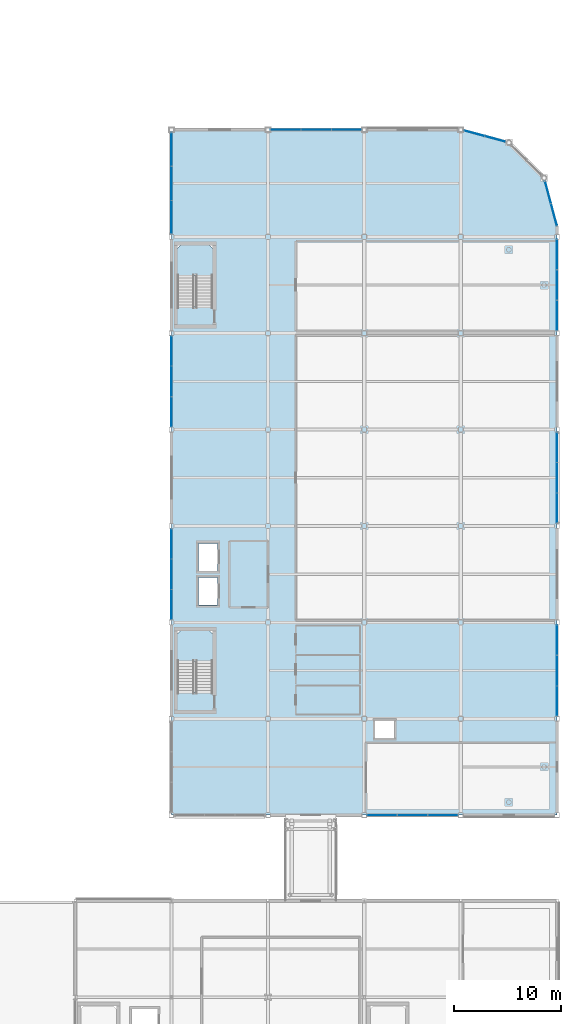
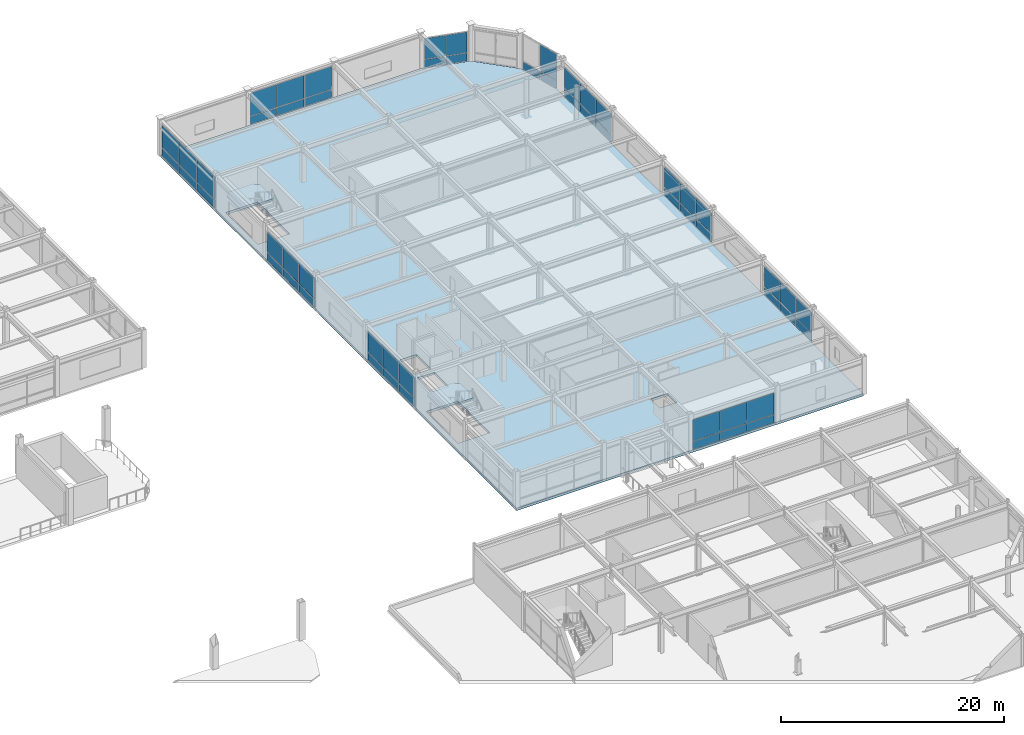
# One storey, part 66 of 105: 55 plates, 3 slabs, 12 elements without a shape of their own.
"""IFC4 building model written with IfcOpenShell, lengths in metres."""

from ifc_helpers import new_model, si_unit, direction, frame, origin, origin_2d, place, context, subcontext, project, spatial, polyline, rectangle, outline, extrude, material, layer, layer_set, type_object, element, aggregate, save


model = new_model("IFC4")

# Units and contexts
model_context = context("Model", 3, precision=1e-05, world=origin(), true_north=direction((0.0, 1.0)))
body_context = subcontext(model_context, "Body", "Model", "MODEL_VIEW")
ifc_project = project(units=[si_unit("LENGTHUNIT", "METRE"), si_unit("AREAUNIT", "SQUARE_METRE"), si_unit("VOLUMEUNIT", "CUBIC_METRE"), si_unit("PLANEANGLEUNIT", "RADIAN"), si_unit("MASSUNIT", "GRAM", prefix="KILO")], contexts=[model_context])

# Site, building, storey
site_placement = place(None, origin())
site = spatial("IfcSite", under=ifc_project, at=site_placement, CompositionType="ELEMENT")
building_placement = place(site_placement, origin())
building = spatial("IfcBuilding", under=site, at=building_placement, Name="Suzunagisa Mobility Hub", CompositionType="ELEMENT")
storey_placement = place(building_placement, frame((0.0, 0.0, 5.10009765625)))
storey = spatial("IfcBuildingStorey", under=building, at=storey_placement, Name="L01", CompositionType="ELEMENT", Elevation=5.10009765625)

# Slab
ifc_material_1 = material(Name="Concrete C35/45", Category="concrete")
ifc_layer_1 = layer(ifc_material_1, 0.260009765625)
ifc_layer_set_1 = layer_set([ifc_layer_1], Name="Concrete C35/45")
slab_type_1 = type_object("IfcSlabType", Name="Composite Slab SL-12 260mm", PredefinedType="FLOOR", material=ifc_layer_set_1)
slab_1_placement = place(storey_placement, frame((0.0, 0.0, -0.260009765625)))
element("IfcSlab", 1, at=slab_1_placement, inside=storey, type_object=slab_type_1, Name="L01 V6N Floor Slab", PredefinedType="FLOOR", context=body_context, shape_type="SweptSolid", body=[
    extrude(outline(polyline([(144.0, 44.0), (180.0, 44.0), (180.0, 99.0), (178.794189453125, 103.5), (175.5, 106.794189453125), (171.0, 108.0), (144.0, 108.0), (144.0, 44.0)]), holes=[polyline([(163.0, 51.199951171875), (164.800048828125, 51.199951171875), (164.800048828125, 52.800048828125), (163.0, 52.800048828125), (163.0, 51.199951171875)]), polyline([(144.56005859375, 55.47998046875), (147.840087890625, 55.47998046875), (147.840087890625, 61.199951171875), (144.56005859375, 61.199951171875), (144.56005859375, 55.47998046875)]), polyline([(146.52001953125, 63.6201171875), (148.280029296875, 63.6201171875), (148.280029296875, 66.179931640625), (146.52001953125, 66.179931640625), (146.52001953125, 63.6201171875)]), polyline([(146.52001953125, 66.820068359375), (148.280029296875, 66.820068359375), (148.280029296875, 69.3798828125), (146.52001953125, 69.3798828125), (146.52001953125, 66.820068359375)]), polyline([(144.56005859375, 91.47998046875), (147.840087890625, 91.47998046875), (147.840087890625, 97.199951171875), (144.56005859375, 97.199951171875), (144.56005859375, 91.47998046875)])]), origin(), (0.0, 0.0, 1.0), 0.260009765625),
])

# Stair, slab
stair_type_1 = type_object("IfcStairType", Name="Dog-Leg Core Escape Stair ST-11 W1560", PredefinedType="HALF_TURN_STAIR", material=ifc_material_1)
stair_1_placement = place(storey_placement, origin())
stair_1 = element("IfcStair", 2, at=stair_1_placement, inside=storey, type_object=stair_type_1, Name="L01 Core C5 Escape Stair ST-11", PredefinedType="HALF_TURN_STAIR")
ifc_layer_2 = layer(ifc_material_1, 0.199951171875)
ifc_layer_set_2 = layer_set([ifc_layer_2], Name="Concrete C35/45")
slab_type_2 = type_object("IfcSlabType", Name="Core Stair Half-Landing Slab SL-SLND", PredefinedType="LANDING", material=ifc_layer_set_2)
slab_2_placement = place(storey_placement, frame((0.0, 0.0, 1.89990234375)))
slab_2 = element("IfcSlab", 3, at=slab_2_placement, type_object=slab_type_2, Name="ST-11 landing 1", PredefinedType="LANDING", context=body_context, shape_type="SweptSolid", body=[
    extrude(outline(polyline([(144.4599609375, 58.360107421875), (147.93994140625, 58.360107421875), (147.93994140625, 60.820068359375), (147.4599609375, 61.300048828125), (144.93994140625, 61.300048828125), (144.4599609375, 60.820068359375), (144.4599609375, 58.360107421875)])), origin(), (0.0, 0.0, 1.0), 0.199951171875),
])
aggregate(stair_1, [slab_2])

stair_type_2 = type_object("IfcStairType", Name="Dog-Leg Core Escape Stair ST-12 W1560", PredefinedType="HALF_TURN_STAIR", material=ifc_material_1)
stair_2_placement = place(storey_placement, origin())
stair_2 = element("IfcStair", 4, at=stair_2_placement, inside=storey, type_object=stair_type_2, Name="L01 Core C5B Escape Stair ST-12", PredefinedType="HALF_TURN_STAIR")
slab_3_placement = place(storey_placement, frame((0.0, 0.0, 1.89990234375)))
slab_3 = element("IfcSlab", 5, at=slab_3_placement, type_object=slab_type_2, Name="ST-12 landing 1", PredefinedType="LANDING", context=body_context, shape_type="SweptSolid", body=[
    extrude(outline(polyline([(144.4599609375, 94.360107421875), (147.93994140625, 94.360107421875), (147.93994140625, 96.820068359375), (147.4599609375, 97.300048828125), (144.93994140625, 97.300048828125), (144.4599609375, 96.820068359375), (144.4599609375, 94.360107421875)])), origin(), (0.0, 0.0, 1.0), 0.199951171875),
])
aggregate(stair_2, [slab_3])

# Curtain wall, plates
ifc_material_2 = material(Name="Thermally Broken Anodized Aluminum and Low-E Glazing", Category="aluminium")
curtain_wall_type_1 = type_object("IfcCurtainWallType", Name="Unitised Curtain Wall CW-29 8500x3400", PredefinedType="USERDEFINED", material=ifc_material_2)
curtain_wall_1_placement = place(storey_placement, origin())
curtain_wall_1 = element("IfcCurtainWall", 6, at=curtain_wall_1_placement, inside=storey, type_object=curtain_wall_type_1, Name="L01 Unitised Curtain Wall CW-184", ObjectType="UNITISED CURTAIN WALL", PredefinedType="USERDEFINED")
ifc_material_3 = material(Name="Low-E Solar-Control Double Glazing", Category="glass")
ifc_layer_3 = layer(ifc_material_3, 0.028076171875)
ifc_layer_set_3 = layer_set([ifc_layer_3], Name="Low-E Solar-Control Double Glazing")
plate_type = type_object("IfcPlateType", Name="Low-E Double Glazed Curtain Panel GP-01 28mm", PredefinedType="CURTAIN_PANEL", material=ifc_layer_set_3)
plate_1_placement = place(storey_placement, frame((163.6650390625, 44.0, 0.06298828125), z_axis=(0.0, 0.0, 1.0), x_axis=(1.0, 0.0, 0.0)))
plate_1 = element("IfcPlate", 7, at=plate_1_placement, type_object=plate_type, Name="Curtain Wall Glazing Panel 184-P1.1", PredefinedType="CURTAIN_PANEL", context=body_context, shape_type="SweptSolid", body=[
    extrude(rectangle(XDim=2.763916015625, YDim=0.028076171875, at=origin_2d()), origin(), (0.0, 0.0, 1.0), 0.8564453125),
])
plate_2_placement = place(storey_placement, frame((163.6650390625, 44.0, 0.98046875), z_axis=(0.0, 0.0, 1.0), x_axis=(1.0, 0.0, 0.0)))
plate_2 = element("IfcPlate", 8, at=plate_2_placement, type_object=plate_type, Name="Curtain Wall Glazing Panel 184-P1.2", PredefinedType="CURTAIN_PANEL", context=body_context, shape_type="SweptSolid", body=[
    extrude(rectangle(XDim=2.763916015625, YDim=0.028076171875, at=origin_2d()), origin(), (0.0, 0.0, 1.0), 2.318603515625),
])
plate_3_placement = place(storey_placement, frame((166.5, 44.0, 0.06298828125), z_axis=(0.0, 0.0, 1.0), x_axis=(1.0, 0.0, 0.0)))
plate_3 = element("IfcPlate", 9, at=plate_3_placement, type_object=plate_type, Name="Curtain Wall Glazing Panel 184-P2.1", PredefinedType="CURTAIN_PANEL", context=body_context, shape_type="SweptSolid", body=[
    extrude(rectangle(XDim=2.7939453125, YDim=0.028076171875, at=origin_2d()), origin(), (0.0, 0.0, 1.0), 0.8564453125),
])
plate_4_placement = place(storey_placement, frame((166.5, 44.0, 0.98046875), z_axis=(0.0, 0.0, 1.0), x_axis=(1.0, 0.0, 0.0)))
plate_4 = element("IfcPlate", 10, at=plate_4_placement, type_object=plate_type, Name="Curtain Wall Glazing Panel 184-P2.2", PredefinedType="CURTAIN_PANEL", context=body_context, shape_type="SweptSolid", body=[
    extrude(rectangle(XDim=2.7939453125, YDim=0.028076171875, at=origin_2d()), origin(), (0.0, 0.0, 1.0), 2.318603515625),
])
plate_5_placement = place(storey_placement, frame((169.3349609375, 44.0, 0.06298828125), z_axis=(0.0, 0.0, 1.0), x_axis=(1.0, 0.0, 0.0)))
plate_5 = element("IfcPlate", 11, at=plate_5_placement, type_object=plate_type, Name="Curtain Wall Glazing Panel 184-P3.1", PredefinedType="CURTAIN_PANEL", context=body_context, shape_type="SweptSolid", body=[
    extrude(rectangle(XDim=2.763916015625, YDim=0.028076171875, at=origin_2d()), origin(), (0.0, 0.0, 1.0), 0.8564453125),
])
plate_6_placement = place(storey_placement, frame((169.3349609375, 44.0, 0.98046875), z_axis=(0.0, 0.0, 1.0), x_axis=(1.0, 0.0, 0.0)))
plate_6 = element("IfcPlate", 12, at=plate_6_placement, type_object=plate_type, Name="Curtain Wall Glazing Panel 184-P3.2", PredefinedType="CURTAIN_PANEL", context=body_context, shape_type="SweptSolid", body=[
    extrude(rectangle(XDim=2.763916015625, YDim=0.028076171875, at=origin_2d()), origin(), (0.0, 0.0, 1.0), 2.318603515625),
])
aggregate(curtain_wall_1, [plate_1, plate_2, plate_3, plate_4, plate_5, plate_6])

curtain_wall_type_2 = type_object("IfcCurtainWallType", Name="Unitised Curtain Wall CW-43 8500x3300", PredefinedType="USERDEFINED", material=ifc_material_2)
curtain_wall_2_placement = place(storey_placement, origin())
curtain_wall_2 = element("IfcCurtainWall", 13, at=curtain_wall_2_placement, inside=storey, type_object=curtain_wall_type_2, Name="L01 Unitised Curtain Wall CW-185", ObjectType="UNITISED CURTAIN WALL", PredefinedType="USERDEFINED")
plate_7_placement = place(storey_placement, frame((180.0, 54.6650390625, 0.06298828125), z_axis=(0.0, 0.0, 1.0), x_axis=(0.0, 1.0, 0.0)))
plate_7 = element("IfcPlate", 14, at=plate_7_placement, type_object=plate_type, Name="Curtain Wall Glazing Panel 185-P1.1", PredefinedType="CURTAIN_PANEL", context=body_context, shape_type="SweptSolid", body=[
    extrude(rectangle(XDim=2.763916015625, YDim=0.028076171875, at=origin_2d()), origin(), (0.0, 0.0, 1.0), 0.8564453125),
])
plate_8_placement = place(storey_placement, frame((180.0, 54.6650390625, 0.98046875), z_axis=(0.0, 0.0, 1.0), x_axis=(0.0, 1.0, 0.0)))
plate_8 = element("IfcPlate", 15, at=plate_8_placement, type_object=plate_type, Name="Curtain Wall Glazing Panel 185-P1.2", PredefinedType="CURTAIN_PANEL", context=body_context, shape_type="SweptSolid", body=[
    extrude(rectangle(XDim=2.763916015625, YDim=0.028076171875, at=origin_2d()), origin(), (0.0, 0.0, 1.0), 2.256591796875),
])
plate_9_placement = place(storey_placement, frame((180.0, 57.5, 0.06298828125), z_axis=(0.0, 0.0, 1.0), x_axis=(0.0, 1.0, 0.0)))
plate_9 = element("IfcPlate", 16, at=plate_9_placement, type_object=plate_type, Name="Curtain Wall Glazing Panel 185-P2.1", PredefinedType="CURTAIN_PANEL", context=body_context, shape_type="SweptSolid", body=[
    extrude(rectangle(XDim=2.7939453125, YDim=0.028076171875, at=origin_2d()), origin(), (0.0, 0.0, 1.0), 0.8564453125),
])
plate_10_placement = place(storey_placement, frame((180.0, 57.5, 0.98046875), z_axis=(0.0, 0.0, 1.0), x_axis=(0.0, 1.0, 0.0)))
plate_10 = element("IfcPlate", 17, at=plate_10_placement, type_object=plate_type, Name="Curtain Wall Glazing Panel 185-P2.2", PredefinedType="CURTAIN_PANEL", context=body_context, shape_type="SweptSolid", body=[
    extrude(rectangle(XDim=2.7939453125, YDim=0.028076171875, at=origin_2d()), origin(), (0.0, 0.0, 1.0), 2.256591796875),
])
plate_11_placement = place(storey_placement, frame((180.0, 60.3349609375, 0.06298828125), z_axis=(0.0, 0.0, 1.0), x_axis=(0.0, 1.0, 0.0)))
plate_11 = element("IfcPlate", 18, at=plate_11_placement, type_object=plate_type, Name="Curtain Wall Glazing Panel 185-P3.1", PredefinedType="CURTAIN_PANEL", context=body_context, shape_type="SweptSolid", body=[
    extrude(rectangle(XDim=2.763916015625, YDim=0.028076171875, at=origin_2d()), origin(), (0.0, 0.0, 1.0), 0.8564453125),
])
plate_12_placement = place(storey_placement, frame((180.0, 60.3349609375, 0.98046875), z_axis=(0.0, 0.0, 1.0), x_axis=(0.0, 1.0, 0.0)))
plate_12 = element("IfcPlate", 19, at=plate_12_placement, type_object=plate_type, Name="Curtain Wall Glazing Panel 185-P3.2", PredefinedType="CURTAIN_PANEL", context=body_context, shape_type="SweptSolid", body=[
    extrude(rectangle(XDim=2.763916015625, YDim=0.028076171875, at=origin_2d()), origin(), (0.0, 0.0, 1.0), 2.256591796875),
])
aggregate(curtain_wall_2, [plate_7, plate_8, plate_9, plate_10, plate_11, plate_12])

curtain_wall_3_placement = place(storey_placement, origin())
curtain_wall_3 = element("IfcCurtainWall", 20, at=curtain_wall_3_placement, inside=storey, type_object=curtain_wall_type_2, Name="L01 Unitised Curtain Wall CW-186", ObjectType="UNITISED CURTAIN WALL", PredefinedType="USERDEFINED")
plate_13_placement = place(storey_placement, frame((180.0, 72.6650390625, 0.06298828125), z_axis=(0.0, 0.0, 1.0), x_axis=(0.0, 1.0, 0.0)))
plate_13 = element("IfcPlate", 21, at=plate_13_placement, type_object=plate_type, Name="Curtain Wall Glazing Panel 186-P1.1", PredefinedType="CURTAIN_PANEL", context=body_context, shape_type="SweptSolid", body=[
    extrude(rectangle(XDim=2.763916015625, YDim=0.028076171875, at=origin_2d()), origin(), (0.0, 0.0, 1.0), 0.8564453125),
])
plate_14_placement = place(storey_placement, frame((180.0, 72.6650390625, 0.98046875), z_axis=(0.0, 0.0, 1.0), x_axis=(0.0, 1.0, 0.0)))
plate_14 = element("IfcPlate", 22, at=plate_14_placement, type_object=plate_type, Name="Curtain Wall Glazing Panel 186-P1.2", PredefinedType="CURTAIN_PANEL", context=body_context, shape_type="SweptSolid", body=[
    extrude(rectangle(XDim=2.763916015625, YDim=0.028076171875, at=origin_2d()), origin(), (0.0, 0.0, 1.0), 2.256591796875),
])
plate_15_placement = place(storey_placement, frame((180.0, 75.5, 0.06298828125), z_axis=(0.0, 0.0, 1.0), x_axis=(0.0, 1.0, 0.0)))
plate_15 = element("IfcPlate", 23, at=plate_15_placement, type_object=plate_type, Name="Curtain Wall Glazing Panel 186-P2.1", PredefinedType="CURTAIN_PANEL", context=body_context, shape_type="SweptSolid", body=[
    extrude(rectangle(XDim=2.7939453125, YDim=0.028076171875, at=origin_2d()), origin(), (0.0, 0.0, 1.0), 0.8564453125),
])
plate_16_placement = place(storey_placement, frame((180.0, 75.5, 0.98046875), z_axis=(0.0, 0.0, 1.0), x_axis=(0.0, 1.0, 0.0)))
plate_16 = element("IfcPlate", 24, at=plate_16_placement, type_object=plate_type, Name="Curtain Wall Glazing Panel 186-P2.2", PredefinedType="CURTAIN_PANEL", context=body_context, shape_type="SweptSolid", body=[
    extrude(rectangle(XDim=2.7939453125, YDim=0.028076171875, at=origin_2d()), origin(), (0.0, 0.0, 1.0), 2.256591796875),
])
plate_17_placement = place(storey_placement, frame((180.0, 78.3349609375, 0.06298828125), z_axis=(0.0, 0.0, 1.0), x_axis=(0.0, 1.0, 0.0)))
plate_17 = element("IfcPlate", 25, at=plate_17_placement, type_object=plate_type, Name="Curtain Wall Glazing Panel 186-P3.1", PredefinedType="CURTAIN_PANEL", context=body_context, shape_type="SweptSolid", body=[
    extrude(rectangle(XDim=2.763916015625, YDim=0.028076171875, at=origin_2d()), origin(), (0.0, 0.0, 1.0), 0.8564453125),
])
plate_18_placement = place(storey_placement, frame((180.0, 78.3349609375, 0.98046875), z_axis=(0.0, 0.0, 1.0), x_axis=(0.0, 1.0, 0.0)))
plate_18 = element("IfcPlate", 26, at=plate_18_placement, type_object=plate_type, Name="Curtain Wall Glazing Panel 186-P3.2", PredefinedType="CURTAIN_PANEL", context=body_context, shape_type="SweptSolid", body=[
    extrude(rectangle(XDim=2.763916015625, YDim=0.028076171875, at=origin_2d()), origin(), (0.0, 0.0, 1.0), 2.256591796875),
])
aggregate(curtain_wall_3, [plate_13, plate_14, plate_15, plate_16, plate_17, plate_18])

curtain_wall_4_placement = place(storey_placement, origin())
curtain_wall_4 = element("IfcCurtainWall", 27, at=curtain_wall_4_placement, inside=storey, type_object=curtain_wall_type_2, Name="L01 Unitised Curtain Wall CW-187", ObjectType="UNITISED CURTAIN WALL", PredefinedType="USERDEFINED")
plate_19_placement = place(storey_placement, frame((180.0, 90.6650390625, 0.06298828125), z_axis=(0.0, 0.0, 1.0), x_axis=(0.0, 1.0, 0.0)))
plate_19 = element("IfcPlate", 28, at=plate_19_placement, type_object=plate_type, Name="Curtain Wall Glazing Panel 187-P1.1", PredefinedType="CURTAIN_PANEL", context=body_context, shape_type="SweptSolid", body=[
    extrude(rectangle(XDim=2.763916015625, YDim=0.028076171875, at=origin_2d()), origin(), (0.0, 0.0, 1.0), 0.8564453125),
])
plate_20_placement = place(storey_placement, frame((180.0, 90.6650390625, 0.98046875), z_axis=(0.0, 0.0, 1.0), x_axis=(0.0, 1.0, 0.0)))
plate_20 = element("IfcPlate", 29, at=plate_20_placement, type_object=plate_type, Name="Curtain Wall Glazing Panel 187-P1.2", PredefinedType="CURTAIN_PANEL", context=body_context, shape_type="SweptSolid", body=[
    extrude(rectangle(XDim=2.763916015625, YDim=0.028076171875, at=origin_2d()), origin(), (0.0, 0.0, 1.0), 2.256591796875),
])
plate_21_placement = place(storey_placement, frame((180.0, 93.5, 0.06298828125), z_axis=(0.0, 0.0, 1.0), x_axis=(0.0, 1.0, 0.0)))
plate_21 = element("IfcPlate", 30, at=plate_21_placement, type_object=plate_type, Name="Curtain Wall Glazing Panel 187-P2.1", PredefinedType="CURTAIN_PANEL", context=body_context, shape_type="SweptSolid", body=[
    extrude(rectangle(XDim=2.7939453125, YDim=0.028076171875, at=origin_2d()), origin(), (0.0, 0.0, 1.0), 0.8564453125),
])
plate_22_placement = place(storey_placement, frame((180.0, 93.5, 0.98046875), z_axis=(0.0, 0.0, 1.0), x_axis=(0.0, 1.0, 0.0)))
plate_22 = element("IfcPlate", 31, at=plate_22_placement, type_object=plate_type, Name="Curtain Wall Glazing Panel 187-P2.2", PredefinedType="CURTAIN_PANEL", context=body_context, shape_type="SweptSolid", body=[
    extrude(rectangle(XDim=2.7939453125, YDim=0.028076171875, at=origin_2d()), origin(), (0.0, 0.0, 1.0), 2.256591796875),
])
plate_23_placement = place(storey_placement, frame((180.0, 96.3349609375, 0.06298828125), z_axis=(0.0, 0.0, 1.0), x_axis=(0.0, 1.0, 0.0)))
plate_23 = element("IfcPlate", 32, at=plate_23_placement, type_object=plate_type, Name="Curtain Wall Glazing Panel 187-P3.1", PredefinedType="CURTAIN_PANEL", context=body_context, shape_type="SweptSolid", body=[
    extrude(rectangle(XDim=2.763916015625, YDim=0.028076171875, at=origin_2d()), origin(), (0.0, 0.0, 1.0), 0.8564453125),
])
plate_24_placement = place(storey_placement, frame((180.0, 96.3349609375, 0.98046875), z_axis=(0.0, 0.0, 1.0), x_axis=(0.0, 1.0, 0.0)))
plate_24 = element("IfcPlate", 33, at=plate_24_placement, type_object=plate_type, Name="Curtain Wall Glazing Panel 187-P3.2", PredefinedType="CURTAIN_PANEL", context=body_context, shape_type="SweptSolid", body=[
    extrude(rectangle(XDim=2.763916015625, YDim=0.028076171875, at=origin_2d()), origin(), (0.0, 0.0, 1.0), 2.256591796875),
])
aggregate(curtain_wall_4, [plate_19, plate_20, plate_21, plate_22, plate_23, plate_24])

curtain_wall_type_3 = type_object("IfcCurtainWallType", Name="Unitised Curtain Wall CW-48 4500x3900", PredefinedType="USERDEFINED", material=ifc_material_2)
curtain_wall_5_placement = place(storey_placement, origin())
curtain_wall_5 = element("IfcCurtainWall", 34, at=curtain_wall_5_placement, inside=storey, type_object=curtain_wall_type_3, Name="L01 Unitised Curtain Wall CW-188", ObjectType="UNITISED CURTAIN WALL", PredefinedType="USERDEFINED")
plate_25_placement = place(storey_placement, frame((179.712890625, 100.072021484375, 0.05810546875), z_axis=(0.0, 0.0, 1.0), x_axis=(-0.258815230137, 0.965926848498, 0.0)))
plate_25 = element("IfcPlate", 35, at=plate_25_placement, type_object=plate_type, Name="Curtain Wall Glazing Panel 188-P1.1", PredefinedType="CURTAIN_PANEL", context=body_context, shape_type="SweptSolid", body=[
    extrude(rectangle(XDim=2.103515625, YDim=0.028076171875, at=origin_2d()), origin(), (0.0, 0.0, 1.0), 0.864013671875),
])
plate_26_placement = place(storey_placement, frame((179.712890625, 100.072021484375, 0.97802734375), z_axis=(0.0, 0.0, 1.0), x_axis=(-0.258815230137, 0.965926848498, 0.0)))
plate_26 = element("IfcPlate", 36, at=plate_26_placement, type_object=plate_type, Name="Curtain Wall Glazing Panel 188-P1.2", PredefinedType="CURTAIN_PANEL", context=body_context, shape_type="SweptSolid", body=[
    extrude(rectangle(XDim=2.103515625, YDim=0.028076171875, at=origin_2d()), origin(), (0.0, 0.0, 1.0), 2.904052734375),
])
plate_27_placement = place(storey_placement, frame((179.15380859375, 102.15771484375, 0.05810546875), z_axis=(0.0, 0.0, 1.0), x_axis=(-0.258815230137, 0.965926848498, 0.0)))
plate_27 = element("IfcPlate", 37, at=plate_27_placement, type_object=plate_type, Name="Curtain Wall Glazing Panel 188-P2.1", PredefinedType="CURTAIN_PANEL", context=body_context, shape_type="SweptSolid", body=[
    extrude(rectangle(XDim=2.103515625, YDim=0.028076171875, at=origin_2d()), origin(), (0.0, 0.0, 1.0), 0.864013671875),
])
aggregate(curtain_wall_5, [plate_25, plate_26, plate_27])

curtain_wall_type_4 = type_object("IfcCurtainWallType", Name="Unitised Curtain Wall CW-10 4000x3300", PredefinedType="USERDEFINED", material=ifc_material_2)
curtain_wall_6_placement = place(storey_placement, origin())
curtain_wall_6 = element("IfcCurtainWall", 38, at=curtain_wall_6_placement, inside=storey, type_object=curtain_wall_type_4, Name="L01 Unitised Curtain Wall CW-190", ObjectType="UNITISED CURTAIN WALL", PredefinedType="USERDEFINED")
plate_28_placement = place(storey_placement, frame((174.224365234375, 107.135986328125, 0.05810546875), z_axis=(0.0, 0.0, 1.0), x_axis=(-0.965925206606, 0.258821357779, 0.0)))
plate_28 = element("IfcPlate", 39, at=plate_28_placement, type_object=plate_type, Name="Curtain Wall Glazing Panel 190-P1.1", PredefinedType="CURTAIN_PANEL", context=body_context, shape_type="SweptSolid", body=[
    extrude(rectangle(XDim=1.965576171875, YDim=0.028076171875, at=origin_2d()), origin(), (0.0, 0.0, 1.0), 0.864013671875),
])
plate_29_placement = place(storey_placement, frame((174.224365234375, 107.135986328125, 0.97802734375), z_axis=(0.0, 0.0, 1.0), x_axis=(-0.965925206606, 0.258821357779, 0.0)))
plate_29 = element("IfcPlate", 40, at=plate_29_placement, type_object=plate_type, Name="Curtain Wall Glazing Panel 190-P1.2", PredefinedType="CURTAIN_PANEL", context=body_context, shape_type="SweptSolid", body=[
    extrude(rectangle(XDim=1.965576171875, YDim=0.028076171875, at=origin_2d()), origin(), (0.0, 0.0, 1.0), 2.25390625),
])
plate_30_placement = place(storey_placement, frame((172.271484375, 107.6591796875, 0.05810546875), z_axis=(0.0, 0.0, 1.0), x_axis=(-0.965925206606, 0.258821357779, 0.0)))
plate_30 = element("IfcPlate", 41, at=plate_30_placement, type_object=plate_type, Name="Curtain Wall Glazing Panel 190-P2.1", PredefinedType="CURTAIN_PANEL", context=body_context, shape_type="SweptSolid", body=[
    extrude(rectangle(XDim=1.965576171875, YDim=0.028076171875, at=origin_2d()), origin(), (0.0, 0.0, 1.0), 0.864013671875),
])
plate_31_placement = place(storey_placement, frame((172.271484375, 107.6591796875, 0.97802734375), z_axis=(0.0, 0.0, 1.0), x_axis=(-0.965925206606, 0.258821357779, 0.0)))
plate_31 = element("IfcPlate", 42, at=plate_31_placement, type_object=plate_type, Name="Curtain Wall Glazing Panel 190-P2.2", PredefinedType="CURTAIN_PANEL", context=body_context, shape_type="SweptSolid", body=[
    extrude(rectangle(XDim=1.965576171875, YDim=0.028076171875, at=origin_2d()), origin(), (0.0, 0.0, 1.0), 2.25390625),
])
aggregate(curtain_wall_6, [plate_28, plate_29, plate_30, plate_31])

curtain_wall_type_5 = type_object("IfcCurtainWallType", Name="Unitised Curtain Wall CW-14 8500x3600", PredefinedType="USERDEFINED", material=ifc_material_2)
curtain_wall_7_placement = place(storey_placement, origin())
curtain_wall_7 = element("IfcCurtainWall", 43, at=curtain_wall_7_placement, inside=storey, type_object=curtain_wall_type_5, Name="L01 Unitised Curtain Wall CW-191", ObjectType="UNITISED CURTAIN WALL", PredefinedType="USERDEFINED")
plate_32_placement = place(storey_placement, frame((160.3349609375, 108.0, 0.06298828125), z_axis=(0.0, 0.0, 1.0), x_axis=(-1.0, 0.0, 0.0)))
plate_32 = element("IfcPlate", 44, at=plate_32_placement, type_object=plate_type, Name="Curtain Wall Glazing Panel 191-P1.1", PredefinedType="CURTAIN_PANEL", context=body_context, shape_type="SweptSolid", body=[
    extrude(rectangle(XDim=2.763916015625, YDim=0.028076171875, at=origin_2d()), origin(), (0.0, 0.0, 1.0), 0.8564453125),
])
plate_33_placement = place(storey_placement, frame((160.3349609375, 108.0, 0.98046875), z_axis=(0.0, 0.0, 1.0), x_axis=(-1.0, 0.0, 0.0)))
plate_33 = element("IfcPlate", 45, at=plate_33_placement, type_object=plate_type, Name="Curtain Wall Glazing Panel 191-P1.2", PredefinedType="CURTAIN_PANEL", context=body_context, shape_type="SweptSolid", body=[
    extrude(rectangle(XDim=2.763916015625, YDim=0.028076171875, at=origin_2d()), origin(), (0.0, 0.0, 1.0), 2.506591796875),
])
plate_34_placement = place(storey_placement, frame((157.5, 108.0, 0.06298828125), z_axis=(0.0, 0.0, 1.0), x_axis=(-1.0, 0.0, 0.0)))
plate_34 = element("IfcPlate", 46, at=plate_34_placement, type_object=plate_type, Name="Curtain Wall Glazing Panel 191-P2.1", PredefinedType="CURTAIN_PANEL", context=body_context, shape_type="SweptSolid", body=[
    extrude(rectangle(XDim=2.7939453125, YDim=0.028076171875, at=origin_2d()), origin(), (0.0, 0.0, 1.0), 0.8564453125),
])
plate_35_placement = place(storey_placement, frame((157.5, 108.0, 0.98046875), z_axis=(0.0, 0.0, 1.0), x_axis=(-1.0, 0.0, 0.0)))
plate_35 = element("IfcPlate", 47, at=plate_35_placement, type_object=plate_type, Name="Curtain Wall Glazing Panel 191-P2.2", PredefinedType="CURTAIN_PANEL", context=body_context, shape_type="SweptSolid", body=[
    extrude(rectangle(XDim=2.7939453125, YDim=0.028076171875, at=origin_2d()), origin(), (0.0, 0.0, 1.0), 2.506591796875),
])
plate_36_placement = place(storey_placement, frame((154.6650390625, 108.0, 0.06298828125), z_axis=(0.0, 0.0, 1.0), x_axis=(-1.0, 0.0, 0.0)))
plate_36 = element("IfcPlate", 48, at=plate_36_placement, type_object=plate_type, Name="Curtain Wall Glazing Panel 191-P3.1", PredefinedType="CURTAIN_PANEL", context=body_context, shape_type="SweptSolid", body=[
    extrude(rectangle(XDim=2.763916015625, YDim=0.028076171875, at=origin_2d()), origin(), (0.0, 0.0, 1.0), 0.8564453125),
])
plate_37_placement = place(storey_placement, frame((154.6650390625, 108.0, 0.98046875), z_axis=(0.0, 0.0, 1.0), x_axis=(-1.0, 0.0, 0.0)))
plate_37 = element("IfcPlate", 49, at=plate_37_placement, type_object=plate_type, Name="Curtain Wall Glazing Panel 191-P3.2", PredefinedType="CURTAIN_PANEL", context=body_context, shape_type="SweptSolid", body=[
    extrude(rectangle(XDim=2.763916015625, YDim=0.028076171875, at=origin_2d()), origin(), (0.0, 0.0, 1.0), 2.506591796875),
])
aggregate(curtain_wall_7, [plate_32, plate_33, plate_34, plate_35, plate_36, plate_37])

curtain_wall_type_6 = type_object("IfcCurtainWallType", Name="Unitised Curtain Wall CW-49 9500x3500", PredefinedType="USERDEFINED", material=ifc_material_2)
curtain_wall_8_placement = place(storey_placement, origin())
curtain_wall_8 = element("IfcCurtainWall", 50, at=curtain_wall_8_placement, inside=storey, type_object=curtain_wall_type_6, Name="L01 Unitised Curtain Wall CW-192", ObjectType="UNITISED CURTAIN WALL", PredefinedType="USERDEFINED")
plate_38_placement = place(storey_placement, frame((144.0, 106.16845703125, 0.06298828125), z_axis=(0.0, 0.0, 1.0), x_axis=(0.0, -1.0, 0.0)))
plate_38 = element("IfcPlate", 51, at=plate_38_placement, type_object=plate_type, Name="Curtain Wall Glazing Panel 192-P1.1", PredefinedType="CURTAIN_PANEL", context=body_context, shape_type="SweptSolid", body=[
    extrude(rectangle(XDim=3.097412109375, YDim=0.028076171875, at=origin_2d()), origin(), (0.0, 0.0, 1.0), 0.8564453125),
])
plate_39_placement = place(storey_placement, frame((144.0, 106.16845703125, 0.980224609375), z_axis=(0.0, 0.0, 1.0), x_axis=(0.0, -1.0, 0.0)))
plate_39 = element("IfcPlate", 52, at=plate_39_placement, type_object=plate_type, Name="Curtain Wall Glazing Panel 192-P1.2", PredefinedType="CURTAIN_PANEL", context=body_context, shape_type="SweptSolid", body=[
    extrude(rectangle(XDim=3.097412109375, YDim=0.028076171875, at=origin_2d()), origin(), (0.0, 0.0, 1.0), 2.49658203125),
])
plate_40_placement = place(storey_placement, frame((144.0, 103.0, 0.06298828125), z_axis=(0.0, 0.0, 1.0), x_axis=(0.0, -1.0, 0.0)))
plate_40 = element("IfcPlate", 53, at=plate_40_placement, type_object=plate_type, Name="Curtain Wall Glazing Panel 192-P2.1", PredefinedType="CURTAIN_PANEL", context=body_context, shape_type="SweptSolid", body=[
    extrude(rectangle(XDim=3.12744140625, YDim=0.028076171875, at=origin_2d()), origin(), (0.0, 0.0, 1.0), 0.8564453125),
])
plate_41_placement = place(storey_placement, frame((144.0, 103.0, 0.980224609375), z_axis=(0.0, 0.0, 1.0), x_axis=(0.0, -1.0, 0.0)))
plate_41 = element("IfcPlate", 54, at=plate_41_placement, type_object=plate_type, Name="Curtain Wall Glazing Panel 192-P2.2", PredefinedType="CURTAIN_PANEL", context=body_context, shape_type="SweptSolid", body=[
    extrude(rectangle(XDim=3.12744140625, YDim=0.028076171875, at=origin_2d()), origin(), (0.0, 0.0, 1.0), 2.49658203125),
])
plate_42_placement = place(storey_placement, frame((144.0, 99.831787109375, 0.06298828125), z_axis=(0.0, 0.0, 1.0), x_axis=(0.0, -1.0, 0.0)))
plate_42 = element("IfcPlate", 55, at=plate_42_placement, type_object=plate_type, Name="Curtain Wall Glazing Panel 192-P3.1", PredefinedType="CURTAIN_PANEL", context=body_context, shape_type="SweptSolid", body=[
    extrude(rectangle(XDim=3.097412109375, YDim=0.028076171875, at=origin_2d()), origin(), (0.0, 0.0, 1.0), 0.8564453125),
])
plate_43_placement = place(storey_placement, frame((144.0, 99.831787109375, 0.980224609375), z_axis=(0.0, 0.0, 1.0), x_axis=(0.0, -1.0, 0.0)))
plate_43 = element("IfcPlate", 56, at=plate_43_placement, type_object=plate_type, Name="Curtain Wall Glazing Panel 192-P3.2", PredefinedType="CURTAIN_PANEL", context=body_context, shape_type="SweptSolid", body=[
    extrude(rectangle(XDim=3.097412109375, YDim=0.028076171875, at=origin_2d()), origin(), (0.0, 0.0, 1.0), 2.49658203125),
])
aggregate(curtain_wall_8, [plate_38, plate_39, plate_40, plate_41, plate_42, plate_43])

curtain_wall_9_placement = place(storey_placement, origin())
curtain_wall_9 = element("IfcCurtainWall", 57, at=curtain_wall_9_placement, inside=storey, type_object=curtain_wall_type_2, Name="L01 Unitised Curtain Wall CW-193", ObjectType="UNITISED CURTAIN WALL", PredefinedType="USERDEFINED")
plate_44_placement = place(storey_placement, frame((144.0, 87.3349609375, 0.06298828125), z_axis=(0.0, 0.0, 1.0), x_axis=(0.0, -1.0, 0.0)))
plate_44 = element("IfcPlate", 58, at=plate_44_placement, type_object=plate_type, Name="Curtain Wall Glazing Panel 193-P1.1", PredefinedType="CURTAIN_PANEL", context=body_context, shape_type="SweptSolid", body=[
    extrude(rectangle(XDim=2.763916015625, YDim=0.028076171875, at=origin_2d()), origin(), (0.0, 0.0, 1.0), 0.8564453125),
])
plate_45_placement = place(storey_placement, frame((144.0, 87.3349609375, 0.98046875), z_axis=(0.0, 0.0, 1.0), x_axis=(0.0, -1.0, 0.0)))
plate_45 = element("IfcPlate", 59, at=plate_45_placement, type_object=plate_type, Name="Curtain Wall Glazing Panel 193-P1.2", PredefinedType="CURTAIN_PANEL", context=body_context, shape_type="SweptSolid", body=[
    extrude(rectangle(XDim=2.763916015625, YDim=0.028076171875, at=origin_2d()), origin(), (0.0, 0.0, 1.0), 2.256591796875),
])
plate_46_placement = place(storey_placement, frame((144.0, 84.5, 0.06298828125), z_axis=(0.0, 0.0, 1.0), x_axis=(0.0, -1.0, 0.0)))
plate_46 = element("IfcPlate", 60, at=plate_46_placement, type_object=plate_type, Name="Curtain Wall Glazing Panel 193-P2.1", PredefinedType="CURTAIN_PANEL", context=body_context, shape_type="SweptSolid", body=[
    extrude(rectangle(XDim=2.7939453125, YDim=0.028076171875, at=origin_2d()), origin(), (0.0, 0.0, 1.0), 0.8564453125),
])
plate_47_placement = place(storey_placement, frame((144.0, 84.5, 0.98046875), z_axis=(0.0, 0.0, 1.0), x_axis=(0.0, -1.0, 0.0)))
plate_47 = element("IfcPlate", 61, at=plate_47_placement, type_object=plate_type, Name="Curtain Wall Glazing Panel 193-P2.2", PredefinedType="CURTAIN_PANEL", context=body_context, shape_type="SweptSolid", body=[
    extrude(rectangle(XDim=2.7939453125, YDim=0.028076171875, at=origin_2d()), origin(), (0.0, 0.0, 1.0), 2.256591796875),
])
plate_48_placement = place(storey_placement, frame((144.0, 81.6650390625, 0.06298828125), z_axis=(0.0, 0.0, 1.0), x_axis=(0.0, -1.0, 0.0)))
plate_48 = element("IfcPlate", 62, at=plate_48_placement, type_object=plate_type, Name="Curtain Wall Glazing Panel 193-P3.1", PredefinedType="CURTAIN_PANEL", context=body_context, shape_type="SweptSolid", body=[
    extrude(rectangle(XDim=2.763916015625, YDim=0.028076171875, at=origin_2d()), origin(), (0.0, 0.0, 1.0), 0.8564453125),
])
plate_49_placement = place(storey_placement, frame((144.0, 81.6650390625, 0.98046875), z_axis=(0.0, 0.0, 1.0), x_axis=(0.0, -1.0, 0.0)))
plate_49 = element("IfcPlate", 63, at=plate_49_placement, type_object=plate_type, Name="Curtain Wall Glazing Panel 193-P3.2", PredefinedType="CURTAIN_PANEL", context=body_context, shape_type="SweptSolid", body=[
    extrude(rectangle(XDim=2.763916015625, YDim=0.028076171875, at=origin_2d()), origin(), (0.0, 0.0, 1.0), 2.256591796875),
])
aggregate(curtain_wall_9, [plate_44, plate_45, plate_46, plate_47, plate_48, plate_49])

curtain_wall_10_placement = place(storey_placement, origin())
curtain_wall_10 = element("IfcCurtainWall", 64, at=curtain_wall_10_placement, inside=storey, type_object=curtain_wall_type_2, Name="L01 Unitised Curtain Wall CW-194", ObjectType="UNITISED CURTAIN WALL", PredefinedType="USERDEFINED")
plate_50_placement = place(storey_placement, frame((144.0, 69.3349609375, 0.06298828125), z_axis=(0.0, 0.0, 1.0), x_axis=(0.0, -1.0, 0.0)))
plate_50 = element("IfcPlate", 65, at=plate_50_placement, type_object=plate_type, Name="Curtain Wall Glazing Panel 194-P1.1", PredefinedType="CURTAIN_PANEL", context=body_context, shape_type="SweptSolid", body=[
    extrude(rectangle(XDim=2.763916015625, YDim=0.028076171875, at=origin_2d()), origin(), (0.0, 0.0, 1.0), 0.8564453125),
])
plate_51_placement = place(storey_placement, frame((144.0, 69.3349609375, 0.98046875), z_axis=(0.0, 0.0, 1.0), x_axis=(0.0, -1.0, 0.0)))
plate_51 = element("IfcPlate", 66, at=plate_51_placement, type_object=plate_type, Name="Curtain Wall Glazing Panel 194-P1.2", PredefinedType="CURTAIN_PANEL", context=body_context, shape_type="SweptSolid", body=[
    extrude(rectangle(XDim=2.763916015625, YDim=0.028076171875, at=origin_2d()), origin(), (0.0, 0.0, 1.0), 2.256591796875),
])
plate_52_placement = place(storey_placement, frame((144.0, 66.5, 0.06298828125), z_axis=(0.0, 0.0, 1.0), x_axis=(0.0, -1.0, 0.0)))
plate_52 = element("IfcPlate", 67, at=plate_52_placement, type_object=plate_type, Name="Curtain Wall Glazing Panel 194-P2.1", PredefinedType="CURTAIN_PANEL", context=body_context, shape_type="SweptSolid", body=[
    extrude(rectangle(XDim=2.7939453125, YDim=0.028076171875, at=origin_2d()), origin(), (0.0, 0.0, 1.0), 0.8564453125),
])
plate_53_placement = place(storey_placement, frame((144.0, 66.5, 0.98046875), z_axis=(0.0, 0.0, 1.0), x_axis=(0.0, -1.0, 0.0)))
plate_53 = element("IfcPlate", 68, at=plate_53_placement, type_object=plate_type, Name="Curtain Wall Glazing Panel 194-P2.2", PredefinedType="CURTAIN_PANEL", context=body_context, shape_type="SweptSolid", body=[
    extrude(rectangle(XDim=2.7939453125, YDim=0.028076171875, at=origin_2d()), origin(), (0.0, 0.0, 1.0), 2.256591796875),
])
plate_54_placement = place(storey_placement, frame((144.0, 63.6650390625, 0.06298828125), z_axis=(0.0, 0.0, 1.0), x_axis=(0.0, -1.0, 0.0)))
plate_54 = element("IfcPlate", 69, at=plate_54_placement, type_object=plate_type, Name="Curtain Wall Glazing Panel 194-P3.1", PredefinedType="CURTAIN_PANEL", context=body_context, shape_type="SweptSolid", body=[
    extrude(rectangle(XDim=2.763916015625, YDim=0.028076171875, at=origin_2d()), origin(), (0.0, 0.0, 1.0), 0.8564453125),
])
plate_55_placement = place(storey_placement, frame((144.0, 63.6650390625, 0.98046875), z_axis=(0.0, 0.0, 1.0), x_axis=(0.0, -1.0, 0.0)))
plate_55 = element("IfcPlate", 70, at=plate_55_placement, type_object=plate_type, Name="Curtain Wall Glazing Panel 194-P3.2", PredefinedType="CURTAIN_PANEL", context=body_context, shape_type="SweptSolid", body=[
    extrude(rectangle(XDim=2.763916015625, YDim=0.028076171875, at=origin_2d()), origin(), (0.0, 0.0, 1.0), 2.256591796875),
])
aggregate(curtain_wall_10, [plate_50, plate_51, plate_52, plate_53, plate_54, plate_55])

save(model, "model.ifc")
